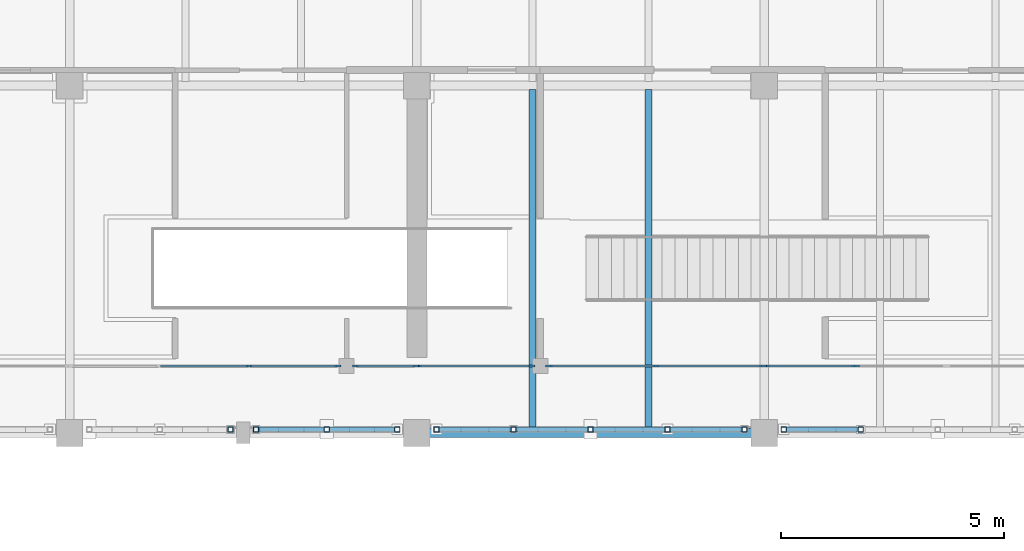
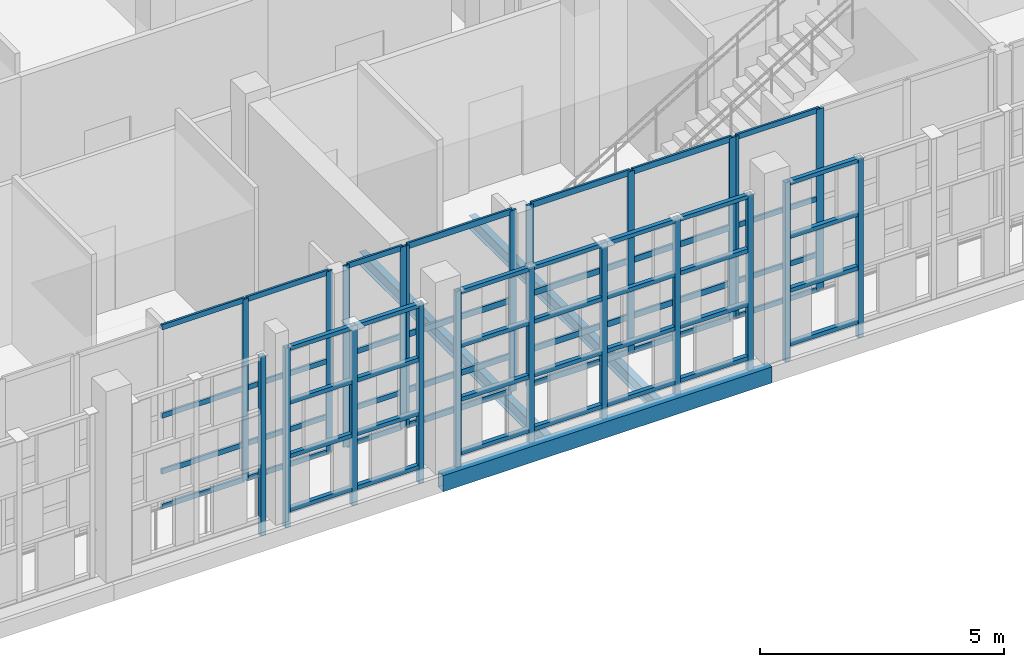
# One storey, part 58 of 138: 78 members, 3 beams, 5 elements without a shape of their own.
"""IFC4 building model written with IfcOpenShell, lengths in metres."""

from ifc_helpers import new_model, si_unit, direction, frame, origin, origin_2d, place, context, subcontext, project, spatial, rectangle, hollow_rectangle, i_section, extrude, material, layer, layer_set, material_profile, profile_set, type_object, element, aggregate, save


model = new_model("IFC4")

# Units and contexts
model_context = context("Model", 3, precision=1e-05, world=origin(), true_north=direction((0.0, 1.0)))
body_context = subcontext(model_context, "Body", "Model", "MODEL_VIEW")
ifc_project = project(units=[si_unit("LENGTHUNIT", "METRE"), si_unit("AREAUNIT", "SQUARE_METRE"), si_unit("VOLUMEUNIT", "CUBIC_METRE"), si_unit("PLANEANGLEUNIT", "RADIAN"), si_unit("MASSUNIT", "GRAM", prefix="KILO")], contexts=[model_context])

# Site, building, storey
site_placement = place(None, origin())
site = spatial("IfcSite", under=ifc_project, at=site_placement, CompositionType="ELEMENT")
building_placement = place(site_placement, origin())
building = spatial("IfcBuilding", under=site, at=building_placement, Name="Celorna Specialist Clinic", CompositionType="ELEMENT")
storey_placement = place(building_placement, frame((0.0, 0.0, 4.800048828125)))
storey = spatial("IfcBuildingStorey", under=building, at=storey_placement, Name="L01", CompositionType="ELEMENT", Elevation=4.800048828125)

# Beams
ifc_material_1 = material(Name="Steel S355", Category="steel")
ifc_material_profile_1 = material_profile(ifc_material_1, i_section(OverallWidth=0.159912109375, OverallDepth=0.330078125, WebThickness=0.007568359375, FlangeThickness=0.011474609375, at=origin_2d()), Name="IPE 330")
ifc_profile_set_1 = profile_set([ifc_material_profile_1], Name="Steel S355")
beam_type_1 = type_object("IfcBeamType", Name="BM-12", PredefinedType="JOIST", material=ifc_profile_set_1)
for number, where, z_axis, x_axis, name in (
    (1, (104.0, 96.587890625, -0.425048828125), (0.0, 1.0, 0.0), (-1.0, 0.0, 0.0), "Secondary floor joist BM-12 #1019"),
    (2, (106.60009765625, 96.587890625, -0.425048828125), (0.0, 1.0, 0.0), (-1.0, 0.0, 0.0), "Secondary floor joist BM-12 #1020"),
):
    element("IfcBeam", number, at=place(storey_placement, frame(where, z_axis=z_axis, x_axis=x_axis)), inside=storey, type_object=beam_type_1, Name=name, PredefinedType="JOIST", context=body_context, shape_type="SweptSolid", body=[
        extrude(i_section(OverallWidth=0.159912109375, OverallDepth=0.330078125, WebThickness=0.007568359375, FlangeThickness=0.011474609375, at=origin_2d()), origin(), (0.0, 0.0, 1.0), 7.6240234375),
    ])
ifc_material_profile_2 = material_profile(ifc_material_1, hollow_rectangle(XDim=0.199951171875, YDim=0.39990234375, WallThickness=0.011962890625, at=origin_2d()), Name="RHS 200x400x12")
ifc_profile_set_2 = profile_set([ifc_material_profile_2], Name="Steel S355")
beam_type_2 = type_object("IfcBeamType", Name="BM-15", PredefinedType="SPANDREL", material=ifc_profile_set_2)
beam_placement = place(storey_placement, frame((101.39990234375, 96.5, -0.4599609375), z_axis=(1.0, 0.0, 0.0), x_axis=(0.0, 1.0, 0.0)))
element("IfcBeam", 3, at=beam_placement, inside=storey, type_object=beam_type_2, Name="Spandrel beam BM-15 #876", PredefinedType="SPANDREL", context=body_context, shape_type="SweptSolid", body=[
    extrude(hollow_rectangle(XDim=0.199951171875, YDim=0.39990234375, WallThickness=0.011962890625, at=origin_2d()), origin(), (0.0, 0.0, 1.0), 7.800048828125),
])

# Members
ifc_material_profile_3 = material_profile(ifc_material_1, hollow_rectangle(XDim=0.1201171875, YDim=0.1201171875, WallThickness=0.008056640625, at=origin_2d()), Name="SHS 120x120x8")
ifc_profile_set_3 = profile_set([ifc_material_profile_3], Name="Steel S355")
member_type_1 = type_object("IfcMemberType", Name="MB-11", PredefinedType="STUD", material=ifc_profile_set_3)
for number, where, z_axis, x_axis, name in (
    (4, (97.2099609375, 96.580078125, -0.360107421875), (0.0, 0.0, 1.0), (1.0, 0.0, 0.0), "Perforated screen steel post #816"),
    (5, (97.7900390625, 96.580078125, -0.360107421875), (0.0, 0.0, 1.0), (1.0, 0.0, 0.0), "Perforated screen steel post #825"),
    (6, (99.375, 96.580078125, -0.360107421875), (0.0, 0.0, 1.0), (1.0, 0.0, 0.0), "Perforated screen steel post #826"),
    (7, (100.9599609375, 96.580078125, -0.360107421875), (0.0, 0.0, 1.0), (1.0, 0.0, 0.0), "Perforated screen steel post #827"),
    (8, (101.840087890625, 96.580078125, -0.360107421875), (0.0, 0.0, 1.0), (1.0, 0.0, 0.0), "Perforated screen steel post #836"),
    (9, (103.570068359375, 96.580078125, -0.360107421875), (0.0, 0.0, 1.0), (1.0, 0.0, 0.0), "Perforated screen steel post #837"),
    (10, (105.300048828125, 96.580078125, -0.360107421875), (0.0, 0.0, 1.0), (1.0, 0.0, 0.0), "Perforated screen steel post #838"),
    (11, (107.030029296875, 96.580078125, -0.360107421875), (0.0, 0.0, 1.0), (1.0, 0.0, 0.0), "Perforated screen steel post #839"),
    (12, (108.760009765625, 96.580078125, -0.360107421875), (0.0, 0.0, 1.0), (1.0, 0.0, 0.0), "Perforated screen steel post #840"),
    (13, (109.639892578125, 96.580078125, -0.360107421875), (0.0, 0.0, 1.0), (1.0, 0.0, 0.0), "Perforated screen steel post #857"),
    (14, (111.3701171875, 96.580078125, -0.360107421875), (0.0, 0.0, 1.0), (1.0, 0.0, 0.0), "Perforated screen steel post #858"),
):
    element("IfcMember", number, at=place(storey_placement, frame(where, z_axis=z_axis, x_axis=x_axis)), inside=storey, type_object=member_type_1, Name=name, PredefinedType="STUD", context=body_context, shape_type="SweptSolid", body=[
        extrude(hollow_rectangle(XDim=0.1201171875, YDim=0.1201171875, WallThickness=0.008056640625, at=origin_2d()), origin(), (0.0, 0.0, 1.0), 4.5),
    ])
ifc_material_profile_4 = material_profile(ifc_material_1, hollow_rectangle(XDim=0.10009765625, YDim=0.10009765625, WallThickness=0.006103515625, at=origin_2d()), Name="SHS 100x100x6")
ifc_profile_set_4 = profile_set([ifc_material_profile_4], Name="Steel S355")
member_type_2 = type_object("IfcMemberType", Name="MB-12", PredefinedType="STUD", material=ifc_profile_set_4)
for number, where, z_axis, x_axis, name in (
    (15, (97.85009765625, 96.580078125, 0.050048828125), (1.0, 0.0, 0.0), (0.0, 1.0, 0.0), "Perforated screen rail #828"),
    (16, (97.85009765625, 96.580078125, 1.396728515625), (1.0, 0.0, 0.0), (0.0, 1.0, 0.0), "Perforated screen rail #829"),
    (17, (97.85009765625, 96.580078125, 2.7431640625), (1.0, 0.0, 0.0), (0.0, 1.0, 0.0), "Perforated screen rail #830"),
    (18, (97.85009765625, 96.580078125, 4.08984375), (1.0, 0.0, 0.0), (0.0, 1.0, 0.0), "Perforated screen rail #831"),
    (19, (99.43505859375, 96.580078125, 0.050048828125), (1.0, 0.0, 0.0), (0.0, 1.0, 0.0), "Perforated screen rail #832"),
    (20, (99.43505859375, 96.580078125, 1.396728515625), (1.0, 0.0, 0.0), (0.0, 1.0, 0.0), "Perforated screen rail #833"),
    (21, (99.43505859375, 96.580078125, 2.7431640625), (1.0, 0.0, 0.0), (0.0, 1.0, 0.0), "Perforated screen rail #834"),
    (22, (99.43505859375, 96.580078125, 4.08984375), (1.0, 0.0, 0.0), (0.0, 1.0, 0.0), "Perforated screen rail #835"),
):
    element("IfcMember", number, at=place(storey_placement, frame(where, z_axis=z_axis, x_axis=x_axis)), inside=storey, type_object=member_type_2, Name=name, PredefinedType="STUD", context=body_context, shape_type="SweptSolid", body=[
        extrude(hollow_rectangle(XDim=0.10009765625, YDim=0.10009765625, WallThickness=0.006103515625, at=origin_2d()), origin(), (0.0, 0.0, 1.0), 1.46484375),
    ])
for number, where, z_axis, x_axis, name in (
    (23, (101.89990234375, 96.580078125, 0.050048828125), (1.0, 0.0, 0.0), (0.0, 1.0, 0.0), "Perforated screen rail #841"),
    (24, (101.89990234375, 96.580078125, 1.396728515625), (1.0, 0.0, 0.0), (0.0, 1.0, 0.0), "Perforated screen rail #842"),
    (25, (101.89990234375, 96.580078125, 2.7431640625), (1.0, 0.0, 0.0), (0.0, 1.0, 0.0), "Perforated screen rail #843"),
    (26, (101.89990234375, 96.580078125, 4.08984375), (1.0, 0.0, 0.0), (0.0, 1.0, 0.0), "Perforated screen rail #844"),
    (27, (103.6298828125, 96.580078125, 0.050048828125), (1.0, 0.0, 0.0), (0.0, 1.0, 0.0), "Perforated screen rail #845"),
    (28, (103.6298828125, 96.580078125, 1.396728515625), (1.0, 0.0, 0.0), (0.0, 1.0, 0.0), "Perforated screen rail #846"),
    (29, (103.6298828125, 96.580078125, 2.7431640625), (1.0, 0.0, 0.0), (0.0, 1.0, 0.0), "Perforated screen rail #847"),
    (30, (103.6298828125, 96.580078125, 4.08984375), (1.0, 0.0, 0.0), (0.0, 1.0, 0.0), "Perforated screen rail #848"),
):
    element("IfcMember", number, at=place(storey_placement, frame(where, z_axis=z_axis, x_axis=x_axis)), inside=storey, type_object=member_type_2, Name=name, PredefinedType="STUD", context=body_context, shape_type="SweptSolid", body=[
        extrude(hollow_rectangle(XDim=0.10009765625, YDim=0.10009765625, WallThickness=0.006103515625, at=origin_2d()), origin(), (0.0, 0.0, 1.0), 1.610107421875),
    ])
for number, where, z_axis, x_axis, name in (
    (31, (105.360107421875, 96.580078125, 0.050048828125), (1.0, 0.0, 0.0), (0.0, 1.0, 0.0), "Perforated screen rail #849"),
    (32, (105.360107421875, 96.580078125, 1.396728515625), (1.0, 0.0, 0.0), (0.0, 1.0, 0.0), "Perforated screen rail #850"),
    (33, (105.360107421875, 96.580078125, 2.7431640625), (1.0, 0.0, 0.0), (0.0, 1.0, 0.0), "Perforated screen rail #851"),
    (34, (105.360107421875, 96.580078125, 4.08984375), (1.0, 0.0, 0.0), (0.0, 1.0, 0.0), "Perforated screen rail #852"),
    (35, (107.090087890625, 96.580078125, 0.050048828125), (1.0, 0.0, 0.0), (0.0, 1.0, 0.0), "Perforated screen rail #853"),
    (36, (107.090087890625, 96.580078125, 1.396728515625), (1.0, 0.0, 0.0), (0.0, 1.0, 0.0), "Perforated screen rail #854"),
    (37, (107.090087890625, 96.580078125, 2.7431640625), (1.0, 0.0, 0.0), (0.0, 1.0, 0.0), "Perforated screen rail #855"),
    (38, (107.090087890625, 96.580078125, 4.08984375), (1.0, 0.0, 0.0), (0.0, 1.0, 0.0), "Perforated screen rail #856"),
):
    element("IfcMember", number, at=place(storey_placement, frame(where, z_axis=z_axis, x_axis=x_axis)), inside=storey, type_object=member_type_2, Name=name, PredefinedType="STUD", context=body_context, shape_type="SweptSolid", body=[
        extrude(hollow_rectangle(XDim=0.10009765625, YDim=0.10009765625, WallThickness=0.006103515625, at=origin_2d()), origin(), (0.0, 0.0, 1.0), 1.60986328125),
    ])
for number, where, z_axis, x_axis, name in (
    (39, (109.699951171875, 96.580078125, 0.050048828125), (1.0, 0.0, 0.0), (0.0, 1.0, 0.0), "Perforated screen rail #862"),
    (40, (109.699951171875, 96.580078125, 1.396728515625), (1.0, 0.0, 0.0), (0.0, 1.0, 0.0), "Perforated screen rail #863"),
    (41, (109.699951171875, 96.580078125, 2.7431640625), (1.0, 0.0, 0.0), (0.0, 1.0, 0.0), "Perforated screen rail #864"),
    (42, (109.699951171875, 96.580078125, 4.08984375), (1.0, 0.0, 0.0), (0.0, 1.0, 0.0), "Perforated screen rail #865"),
):
    element("IfcMember", number, at=place(storey_placement, frame(where, z_axis=z_axis, x_axis=x_axis)), inside=storey, type_object=member_type_2, Name=name, PredefinedType="STUD", context=body_context, shape_type="SweptSolid", body=[
        extrude(hollow_rectangle(XDim=0.10009765625, YDim=0.10009765625, WallThickness=0.006103515625, at=origin_2d()), origin(), (0.0, 0.0, 1.0), 1.610107421875),
    ])

# Curtain wall, members
ifc_material_2 = material(Name="Thermally broken aluminium and solar-control glass curtain wall", Category="aluminium")
ifc_layer_1 = layer(ifc_material_2, 0.159912109375, Name="Thermally broken aluminium and solar-control glass curtain wall")
ifc_layer_set_1 = layer_set([ifc_layer_1], Name="Thermally broken aluminium and solar-control glass curtain wall")
curtain_wall_type_1 = type_object("IfcCurtainWallType", Name="CW-55", PredefinedType="NOTDEFINED", material=ifc_layer_set_1)
curtain_wall_1_placement = place(storey_placement, origin())
curtain_wall_1 = element("IfcCurtainWall", 43, at=curtain_wall_1_placement, inside=storey, type_object=curtain_wall_type_1, Name="Curtain wall CW-55 #109", PredefinedType="NOTDEFINED")
ifc_material_3 = material(Name="Anodized aluminium mullion", Category="aluminium")
ifc_material_profile_5 = material_profile(ifc_material_3, rectangle(XDim=0.050048828125, YDim=0.159912109375, at=origin_2d()), Name="ALU MULLION 50x160")
ifc_profile_set_5 = profile_set([ifc_material_profile_5], Name="Anodized aluminium mullion")
member_type_3 = type_object("IfcMemberType", Name="ML-01", PredefinedType="MULLION", material=ifc_profile_set_5)
member_1_placement = place(storey_placement, frame((109.1708984375, 98.0, 0.0), z_axis=(0.0, 0.0, 1.0), x_axis=(0.0, -1.0, 0.0)))
member_1 = element("IfcMember", 44, at=member_1_placement, type_object=member_type_3, Name="CW-55 mullion 1", PredefinedType="MULLION", context=body_context, shape_type="SweptSolid", body=[
    extrude(rectangle(XDim=0.050048828125, YDim=0.159912109375, at=origin_2d()), origin(), (0.0, 0.0, 1.0), 4.5400390625),
])
member_2_placement = place(storey_placement, frame((106.77001953125, 98.0, 0.0), z_axis=(0.0, 0.0, 1.0), x_axis=(0.0, -1.0, 0.0)))
member_2 = element("IfcMember", 45, at=member_2_placement, type_object=member_type_3, Name="CW-55 mullion 2", PredefinedType="MULLION", context=body_context, shape_type="SweptSolid", body=[
    extrude(rectangle(XDim=0.050048828125, YDim=0.159912109375, at=origin_2d()), origin(), (0.0, 0.0, 1.0), 4.5400390625),
])
member_3_placement = place(storey_placement, frame((104.368896484375, 98.0, 0.0), z_axis=(0.0, 0.0, 1.0), x_axis=(0.0, -1.0, 0.0)))
member_3 = element("IfcMember", 46, at=member_3_placement, type_object=member_type_3, Name="CW-55 mullion 3", PredefinedType="MULLION", context=body_context, shape_type="SweptSolid", body=[
    extrude(rectangle(XDim=0.050048828125, YDim=0.159912109375, at=origin_2d()), origin(), (0.0, 0.0, 1.0), 4.5400390625),
])

ifc_layer_2 = layer(ifc_material_2, 0.159912109375, Name="Thermally broken aluminium and solar-control glass curtain wall")
ifc_layer_set_2 = layer_set([ifc_layer_2], Name="Thermally broken aluminium and solar-control glass curtain wall")
curtain_wall_type_2 = type_object("IfcCurtainWallType", Name="CW-56", PredefinedType="NOTDEFINED", material=ifc_layer_set_2)
curtain_wall_2_placement = place(storey_placement, origin())
curtain_wall_2 = element("IfcCurtainWall", 47, at=curtain_wall_2_placement, inside=storey, type_object=curtain_wall_type_2, Name="Curtain wall CW-56 #110", PredefinedType="NOTDEFINED")
member_4_placement = place(storey_placement, frame((103.970947265625, 98.0, 0.0), z_axis=(0.0, 0.0, 1.0), x_axis=(0.0, -1.0, 0.0)))
member_4 = element("IfcMember", 48, at=member_4_placement, type_object=member_type_3, Name="CW-56 mullion 1", PredefinedType="MULLION", context=body_context, shape_type="SweptSolid", body=[
    extrude(rectangle(XDim=0.050048828125, YDim=0.159912109375, at=origin_2d()), origin(), (0.0, 0.0, 1.0), 4.5400390625),
])
member_5_placement = place(storey_placement, frame((101.428955078125, 98.0, 0.0), z_axis=(0.0, 0.0, 1.0), x_axis=(0.0, -1.0, 0.0)))
member_5 = element("IfcMember", 49, at=member_5_placement, type_object=member_type_3, Name="CW-56 mullion 2", PredefinedType="MULLION", context=body_context, shape_type="SweptSolid", body=[
    extrude(rectangle(XDim=0.050048828125, YDim=0.159912109375, at=origin_2d()), origin(), (0.0, 0.0, 1.0), 4.5400390625),
])

ifc_layer_3 = layer(ifc_material_2, 0.159912109375, Name="Thermally broken aluminium and solar-control glass curtain wall")
ifc_layer_set_3 = layer_set([ifc_layer_3], Name="Thermally broken aluminium and solar-control glass curtain wall")
curtain_wall_type_3 = type_object("IfcCurtainWallType", Name="CW-58", PredefinedType="NOTDEFINED", material=ifc_layer_set_3)
curtain_wall_3_placement = place(storey_placement, origin())
curtain_wall_3 = element("IfcCurtainWall", 50, at=curtain_wall_3_placement, inside=storey, type_object=curtain_wall_type_3, Name="Curtain wall CW-58 #112", PredefinedType="NOTDEFINED")
ifc_material_profile_6 = material_profile(ifc_material_3, rectangle(XDim=0.050048828125, YDim=0.179931640625, at=origin_2d()), Name="ALU MULLION 50x180")
ifc_profile_set_6 = profile_set([ifc_material_profile_6], Name="Anodized aluminium mullion")
member_type_4 = type_object("IfcMemberType", Name="ML-02", PredefinedType="MULLION", material=ifc_profile_set_6)
member_6_placement = place(storey_placement, frame((111.251220703125, 98.0, 0.0), z_axis=(0.0, 0.0, 1.0), x_axis=(0.0, -1.0, 0.0)))
member_6 = element("IfcMember", 51, at=member_6_placement, type_object=member_type_4, Name="CW-58 mullion 3", PredefinedType="MULLION", context=body_context, shape_type="SweptSolid", body=[
    extrude(rectangle(XDim=0.050048828125, YDim=0.179931640625, at=origin_2d()), origin(), (0.0, 0.0, 1.0), 4.5400390625),
])
member_7_placement = place(storey_placement, frame((109.22900390625, 98.0, 0.0), z_axis=(0.0, 0.0, 1.0), x_axis=(0.0, -1.0, 0.0)))
member_7 = element("IfcMember", 52, at=member_7_placement, type_object=member_type_4, Name="CW-58 mullion 4", PredefinedType="MULLION", context=body_context, shape_type="SweptSolid", body=[
    extrude(rectangle(XDim=0.050048828125, YDim=0.179931640625, at=origin_2d()), origin(), (0.0, 0.0, 1.0), 4.5400390625),
])

ifc_layer_4 = layer(ifc_material_2, 0.159912109375, Name="Thermally broken aluminium and solar-control glass curtain wall")
ifc_layer_set_4 = layer_set([ifc_layer_4], Name="Thermally broken aluminium and solar-control glass curtain wall")
curtain_wall_type_4 = type_object("IfcCurtainWallType", Name="CW-53", PredefinedType="NOTDEFINED", material=ifc_layer_set_4)
curtain_wall_4_placement = place(storey_placement, origin())
curtain_wall_4 = element("IfcCurtainWall", 53, at=curtain_wall_4_placement, inside=storey, type_object=curtain_wall_type_4, Name="Curtain wall CW-53 #107", PredefinedType="NOTDEFINED")
ifc_material_profile_7 = material_profile(ifc_material_3, rectangle(XDim=0.050048828125, YDim=0.139892578125, at=origin_2d()), Name="ALU MULLION 50x140")
ifc_profile_set_7 = profile_set([ifc_material_profile_7], Name="Anodized aluminium mullion")
member_type_5 = type_object("IfcMemberType", Name="ML-03", PredefinedType="MULLION", material=ifc_profile_set_7)
member_8_placement = place(storey_placement, frame((101.37109375, 98.0, 0.0), z_axis=(0.0, 0.0, 1.0), x_axis=(0.0, -1.0, 0.0)))
member_8 = element("IfcMember", 54, at=member_8_placement, type_object=member_type_5, Name="CW-53 mullion 1", PredefinedType="MULLION", context=body_context, shape_type="SweptSolid", body=[
    extrude(rectangle(XDim=0.050048828125, YDim=0.139892578125, at=origin_2d()), origin(), (0.0, 0.0, 1.0), 4.5400390625),
])
member_9_placement = place(storey_placement, frame((100.01904296875, 98.0, 0.0), z_axis=(0.0, 0.0, 1.0), x_axis=(0.0, -1.0, 0.0)))
member_9 = element("IfcMember", 55, at=member_9_placement, type_object=member_type_5, Name="CW-53 mullion 2", PredefinedType="MULLION", context=body_context, shape_type="SweptSolid", body=[
    extrude(rectangle(XDim=0.050048828125, YDim=0.139892578125, at=origin_2d()), origin(), (0.0, 0.0, 1.0), 4.5400390625),
])

ifc_layer_5 = layer(ifc_material_2, 0.159912109375, Name="Thermally broken aluminium and solar-control glass curtain wall")
ifc_layer_set_5 = layer_set([ifc_layer_5], Name="Thermally broken aluminium and solar-control glass curtain wall")
curtain_wall_type_5 = type_object("IfcCurtainWallType", Name="CW-54", PredefinedType="NOTDEFINED", material=ifc_layer_set_5)
curtain_wall_5_placement = place(storey_placement, origin())
curtain_wall_5 = element("IfcCurtainWall", 56, at=curtain_wall_5_placement, inside=storey, type_object=curtain_wall_type_5, Name="Curtain wall CW-54 #108", PredefinedType="NOTDEFINED")
member_10_placement = place(storey_placement, frame((99.62109375, 98.0, 0.0), z_axis=(0.0, 0.0, 1.0), x_axis=(0.0, -1.0, 0.0)))
member_10 = element("IfcMember", 57, at=member_10_placement, type_object=member_type_5, Name="CW-54 mullion 1", PredefinedType="MULLION", context=body_context, shape_type="SweptSolid", body=[
    extrude(rectangle(XDim=0.050048828125, YDim=0.139892578125, at=origin_2d()), origin(), (0.0, 0.0, 1.0), 4.5400390625),
])
member_11_placement = place(storey_placement, frame((97.632080078125, 98.0, 0.0), z_axis=(0.0, 0.0, 1.0), x_axis=(0.0, -1.0, 0.0)))
member_11 = element("IfcMember", 58, at=member_11_placement, type_object=member_type_5, Name="CW-54 mullion 2", PredefinedType="MULLION", context=body_context, shape_type="SweptSolid", body=[
    extrude(rectangle(XDim=0.050048828125, YDim=0.139892578125, at=origin_2d()), origin(), (0.0, 0.0, 1.0), 4.5400390625),
])

# Member
ifc_material_4 = material(Name="Anodized aluminium transom", Category="aluminium")
ifc_material_profile_8 = material_profile(ifc_material_4, rectangle(XDim=0.050048828125, YDim=0.1298828125, at=origin_2d()), Name="ALU TRANSOM 50x130")
ifc_profile_set_8 = profile_set([ifc_material_profile_8], Name="Anodized aluminium transom")
member_type_6 = type_object("IfcMemberType", Name="TR-01", PredefinedType="USERDEFINED", material=ifc_profile_set_8)
member_12_placement = place(storey_placement, frame((101.345947265625, 98.0, 0.02490234375), z_axis=(-1.0, 0.0, 0.0), x_axis=(0.0, -1.0, 0.0)))
member_12 = element("IfcMember", 59, at=member_12_placement, type_object=member_type_6, Name="CW-53 transom 1.1", ObjectType="TRANSOM", PredefinedType="USERDEFINED", context=body_context, shape_type="SweptSolid", body=[
    extrude(rectangle(XDim=0.050048828125, YDim=0.1298828125, at=origin_2d()), origin(), (0.0, 0.0, 1.0), 1.302001953125),
])

member_13_placement = place(storey_placement, frame((101.345947265625, 98.0, 0.89990234375), z_axis=(-1.0, 0.0, 0.0), x_axis=(0.0, -1.0, 0.0)))
member_13 = element("IfcMember", 60, at=member_13_placement, type_object=member_type_6, Name="CW-53 transom 1.2", ObjectType="TRANSOM", PredefinedType="USERDEFINED", context=body_context, shape_type="SweptSolid", body=[
    extrude(rectangle(XDim=0.050048828125, YDim=0.1298828125, at=origin_2d()), origin(), (0.0, 0.0, 1.0), 1.302001953125),
])

member_14_placement = place(storey_placement, frame((101.345947265625, 98.0, 2.300048828125), z_axis=(-1.0, 0.0, 0.0), x_axis=(0.0, -1.0, 0.0)))
member_14 = element("IfcMember", 61, at=member_14_placement, type_object=member_type_6, Name="CW-53 transom 1.3", ObjectType="TRANSOM", PredefinedType="USERDEFINED", context=body_context, shape_type="SweptSolid", body=[
    extrude(rectangle(XDim=0.050048828125, YDim=0.1298828125, at=origin_2d()), origin(), (0.0, 0.0, 1.0), 1.302001953125),
])

member_15_placement = place(storey_placement, frame((101.345947265625, 98.0, 4.514892578125), z_axis=(-1.0, 0.0, 0.0), x_axis=(0.0, -1.0, 0.0)))
member_15 = element("IfcMember", 62, at=member_15_placement, type_object=member_type_6, Name="CW-53 transom 1.4", ObjectType="TRANSOM", PredefinedType="USERDEFINED", context=body_context, shape_type="SweptSolid", body=[
    extrude(rectangle(XDim=0.050048828125, YDim=0.1298828125, at=origin_2d()), origin(), (0.0, 0.0, 1.0), 1.302001953125),
])

aggregate(curtain_wall_4, [member_8, member_9, member_12, member_13, member_14, member_15])

member_16_placement = place(storey_placement, frame((99.595947265625, 98.0, 0.02490234375), z_axis=(-1.0, 0.0, 0.0), x_axis=(0.0, -1.0, 0.0)))
member_16 = element("IfcMember", 63, at=member_16_placement, type_object=member_type_6, Name="CW-54 transom 1.1", ObjectType="TRANSOM", PredefinedType="USERDEFINED", context=body_context, shape_type="SweptSolid", body=[
    extrude(rectangle(XDim=0.050048828125, YDim=0.1298828125, at=origin_2d()), origin(), (0.0, 0.0, 1.0), 1.93896484375),
])

member_17_placement = place(storey_placement, frame((99.595947265625, 98.0, 0.89990234375), z_axis=(-1.0, 0.0, 0.0), x_axis=(0.0, -1.0, 0.0)))
member_17 = element("IfcMember", 64, at=member_17_placement, type_object=member_type_6, Name="CW-54 transom 1.2", ObjectType="TRANSOM", PredefinedType="USERDEFINED", context=body_context, shape_type="SweptSolid", body=[
    extrude(rectangle(XDim=0.050048828125, YDim=0.1298828125, at=origin_2d()), origin(), (0.0, 0.0, 1.0), 1.93896484375),
])

member_18_placement = place(storey_placement, frame((99.595947265625, 98.0, 2.300048828125), z_axis=(-1.0, 0.0, 0.0), x_axis=(0.0, -1.0, 0.0)))
member_18 = element("IfcMember", 65, at=member_18_placement, type_object=member_type_6, Name="CW-54 transom 1.3", ObjectType="TRANSOM", PredefinedType="USERDEFINED", context=body_context, shape_type="SweptSolid", body=[
    extrude(rectangle(XDim=0.050048828125, YDim=0.1298828125, at=origin_2d()), origin(), (0.0, 0.0, 1.0), 1.93896484375),
])

member_19_placement = place(storey_placement, frame((99.595947265625, 98.0, 4.514892578125), z_axis=(-1.0, 0.0, 0.0), x_axis=(0.0, -1.0, 0.0)))
member_19 = element("IfcMember", 66, at=member_19_placement, type_object=member_type_6, Name="CW-54 transom 1.4", ObjectType="TRANSOM", PredefinedType="USERDEFINED", context=body_context, shape_type="SweptSolid", body=[
    extrude(rectangle(XDim=0.050048828125, YDim=0.1298828125, at=origin_2d()), origin(), (0.0, 0.0, 1.0), 1.93896484375),
])

member_20_placement = place(storey_placement, frame((97.60693359375, 98.0, 0.02490234375), z_axis=(-1.0, 0.0, 0.0), x_axis=(0.0, -1.0, 0.0)))
member_20 = element("IfcMember", 67, at=member_20_placement, type_object=member_type_6, Name="CW-54 transom 2.1", ObjectType="TRANSOM", PredefinedType="USERDEFINED", context=body_context, shape_type="SweptSolid", body=[
    extrude(rectangle(XDim=0.050048828125, YDim=0.1298828125, at=origin_2d()), origin(), (0.0, 0.0, 1.0), 1.9638671875),
])

member_21_placement = place(storey_placement, frame((97.60693359375, 98.0, 0.89990234375), z_axis=(-1.0, 0.0, 0.0), x_axis=(0.0, -1.0, 0.0)))
member_21 = element("IfcMember", 68, at=member_21_placement, type_object=member_type_6, Name="CW-54 transom 2.2", ObjectType="TRANSOM", PredefinedType="USERDEFINED", context=body_context, shape_type="SweptSolid", body=[
    extrude(rectangle(XDim=0.050048828125, YDim=0.1298828125, at=origin_2d()), origin(), (0.0, 0.0, 1.0), 1.9638671875),
])

member_22_placement = place(storey_placement, frame((97.60693359375, 98.0, 2.300048828125), z_axis=(-1.0, 0.0, 0.0), x_axis=(0.0, -1.0, 0.0)))
member_22 = element("IfcMember", 69, at=member_22_placement, type_object=member_type_6, Name="CW-54 transom 2.3", ObjectType="TRANSOM", PredefinedType="USERDEFINED", context=body_context, shape_type="SweptSolid", body=[
    extrude(rectangle(XDim=0.050048828125, YDim=0.1298828125, at=origin_2d()), origin(), (0.0, 0.0, 1.0), 1.9638671875),
])

member_23_placement = place(storey_placement, frame((97.60693359375, 98.0, 4.514892578125), z_axis=(-1.0, 0.0, 0.0), x_axis=(0.0, -1.0, 0.0)))
member_23 = element("IfcMember", 70, at=member_23_placement, type_object=member_type_6, Name="CW-54 transom 2.4", ObjectType="TRANSOM", PredefinedType="USERDEFINED", context=body_context, shape_type="SweptSolid", body=[
    extrude(rectangle(XDim=0.050048828125, YDim=0.1298828125, at=origin_2d()), origin(), (0.0, 0.0, 1.0), 1.9638671875),
])

aggregate(curtain_wall_5, [member_10, member_11, member_16, member_17, member_18, member_19, member_20, member_21, member_22, member_23])

member_24_placement = place(storey_placement, frame((111.226318359375, 98.0, 0.02490234375), z_axis=(-1.0, 0.0, 0.0), x_axis=(0.0, -1.0, 0.0)))
member_24 = element("IfcMember", 71, at=member_24_placement, type_object=member_type_6, Name="CW-58 transom 3.1", ObjectType="TRANSOM", PredefinedType="USERDEFINED", context=body_context, shape_type="SweptSolid", body=[
    extrude(rectangle(XDim=0.050048828125, YDim=0.1298828125, at=origin_2d()), origin(), (0.0, 0.0, 1.0), 1.972412109375),
])

member_25_placement = place(storey_placement, frame((111.226318359375, 98.0, 0.89990234375), z_axis=(-1.0, 0.0, 0.0), x_axis=(0.0, -1.0, 0.0)))
member_25 = element("IfcMember", 72, at=member_25_placement, type_object=member_type_6, Name="CW-58 transom 3.2", ObjectType="TRANSOM", PredefinedType="USERDEFINED", context=body_context, shape_type="SweptSolid", body=[
    extrude(rectangle(XDim=0.050048828125, YDim=0.1298828125, at=origin_2d()), origin(), (0.0, 0.0, 1.0), 1.972412109375),
])

member_26_placement = place(storey_placement, frame((111.226318359375, 98.0, 2.300048828125), z_axis=(-1.0, 0.0, 0.0), x_axis=(0.0, -1.0, 0.0)))
member_26 = element("IfcMember", 73, at=member_26_placement, type_object=member_type_6, Name="CW-58 transom 3.3", ObjectType="TRANSOM", PredefinedType="USERDEFINED", context=body_context, shape_type="SweptSolid", body=[
    extrude(rectangle(XDim=0.050048828125, YDim=0.1298828125, at=origin_2d()), origin(), (0.0, 0.0, 1.0), 1.972412109375),
])

member_27_placement = place(storey_placement, frame((111.226318359375, 98.0, 4.514892578125), z_axis=(-1.0, 0.0, 0.0), x_axis=(0.0, -1.0, 0.0)))
member_27 = element("IfcMember", 74, at=member_27_placement, type_object=member_type_6, Name="CW-58 transom 3.4", ObjectType="TRANSOM", PredefinedType="USERDEFINED", context=body_context, shape_type="SweptSolid", body=[
    extrude(rectangle(XDim=0.050048828125, YDim=0.1298828125, at=origin_2d()), origin(), (0.0, 0.0, 1.0), 1.972412109375),
])

aggregate(curtain_wall_3, [member_6, member_7, member_24, member_25, member_26, member_27])

ifc_material_profile_9 = material_profile(ifc_material_4, rectangle(XDim=0.050048828125, YDim=0.14990234375, at=origin_2d()), Name="ALU TRANSOM 50x150")
ifc_profile_set_9 = profile_set([ifc_material_profile_9], Name="Anodized aluminium transom")
member_type_7 = type_object("IfcMemberType", Name="TR-02", PredefinedType="USERDEFINED", material=ifc_profile_set_9)
member_28_placement = place(storey_placement, frame((109.14599609375, 98.0, 0.02490234375), z_axis=(-1.0, 0.0, 0.0), x_axis=(0.0, -1.0, 0.0)))
member_28 = element("IfcMember", 75, at=member_28_placement, type_object=member_type_7, Name="CW-55 transom 1.1", ObjectType="TRANSOM", PredefinedType="USERDEFINED", context=body_context, shape_type="SweptSolid", body=[
    extrude(rectangle(XDim=0.050048828125, YDim=0.14990234375, at=origin_2d()), origin(), (0.0, 0.0, 1.0), 2.35107421875),
])

member_29_placement = place(storey_placement, frame((109.14599609375, 98.0, 0.89990234375), z_axis=(-1.0, 0.0, 0.0), x_axis=(0.0, -1.0, 0.0)))
member_29 = element("IfcMember", 76, at=member_29_placement, type_object=member_type_7, Name="CW-55 transom 1.2", ObjectType="TRANSOM", PredefinedType="USERDEFINED", context=body_context, shape_type="SweptSolid", body=[
    extrude(rectangle(XDim=0.050048828125, YDim=0.14990234375, at=origin_2d()), origin(), (0.0, 0.0, 1.0), 2.35107421875),
])

member_30_placement = place(storey_placement, frame((109.14599609375, 98.0, 2.300048828125), z_axis=(-1.0, 0.0, 0.0), x_axis=(0.0, -1.0, 0.0)))
member_30 = element("IfcMember", 77, at=member_30_placement, type_object=member_type_7, Name="CW-55 transom 1.3", ObjectType="TRANSOM", PredefinedType="USERDEFINED", context=body_context, shape_type="SweptSolid", body=[
    extrude(rectangle(XDim=0.050048828125, YDim=0.14990234375, at=origin_2d()), origin(), (0.0, 0.0, 1.0), 2.35107421875),
])

member_31_placement = place(storey_placement, frame((109.14599609375, 98.0, 4.514892578125), z_axis=(-1.0, 0.0, 0.0), x_axis=(0.0, -1.0, 0.0)))
member_31 = element("IfcMember", 78, at=member_31_placement, type_object=member_type_7, Name="CW-55 transom 1.4", ObjectType="TRANSOM", PredefinedType="USERDEFINED", context=body_context, shape_type="SweptSolid", body=[
    extrude(rectangle(XDim=0.050048828125, YDim=0.14990234375, at=origin_2d()), origin(), (0.0, 0.0, 1.0), 2.35107421875),
])

member_32_placement = place(storey_placement, frame((106.7451171875, 98.0, 0.02490234375), z_axis=(-1.0, 0.0, 0.0), x_axis=(0.0, -1.0, 0.0)))
member_32 = element("IfcMember", 79, at=member_32_placement, type_object=member_type_7, Name="CW-55 transom 2.1", ObjectType="TRANSOM", PredefinedType="USERDEFINED", context=body_context, shape_type="SweptSolid", body=[
    extrude(rectangle(XDim=0.050048828125, YDim=0.14990234375, at=origin_2d()), origin(), (0.0, 0.0, 1.0), 2.35107421875),
])

member_33_placement = place(storey_placement, frame((106.7451171875, 98.0, 0.89990234375), z_axis=(-1.0, 0.0, 0.0), x_axis=(0.0, -1.0, 0.0)))
member_33 = element("IfcMember", 80, at=member_33_placement, type_object=member_type_7, Name="CW-55 transom 2.2", ObjectType="TRANSOM", PredefinedType="USERDEFINED", context=body_context, shape_type="SweptSolid", body=[
    extrude(rectangle(XDim=0.050048828125, YDim=0.14990234375, at=origin_2d()), origin(), (0.0, 0.0, 1.0), 2.35107421875),
])

member_34_placement = place(storey_placement, frame((106.7451171875, 98.0, 2.300048828125), z_axis=(-1.0, 0.0, 0.0), x_axis=(0.0, -1.0, 0.0)))
member_34 = element("IfcMember", 81, at=member_34_placement, type_object=member_type_7, Name="CW-55 transom 2.3", ObjectType="TRANSOM", PredefinedType="USERDEFINED", context=body_context, shape_type="SweptSolid", body=[
    extrude(rectangle(XDim=0.050048828125, YDim=0.14990234375, at=origin_2d()), origin(), (0.0, 0.0, 1.0), 2.35107421875),
])

member_35_placement = place(storey_placement, frame((106.7451171875, 98.0, 4.514892578125), z_axis=(-1.0, 0.0, 0.0), x_axis=(0.0, -1.0, 0.0)))
member_35 = element("IfcMember", 82, at=member_35_placement, type_object=member_type_7, Name="CW-55 transom 2.4", ObjectType="TRANSOM", PredefinedType="USERDEFINED", context=body_context, shape_type="SweptSolid", body=[
    extrude(rectangle(XDim=0.050048828125, YDim=0.14990234375, at=origin_2d()), origin(), (0.0, 0.0, 1.0), 2.35107421875),
])

aggregate(curtain_wall_1, [member_1, member_2, member_3, member_28, member_29, member_30, member_31, member_32, member_33, member_34, member_35])

member_36_placement = place(storey_placement, frame((103.946044921875, 98.0, 0.02490234375), z_axis=(-1.0, 0.0, 0.0), x_axis=(0.0, -1.0, 0.0)))
member_36 = element("IfcMember", 83, at=member_36_placement, type_object=member_type_7, Name="CW-56 transom 1.1", ObjectType="TRANSOM", PredefinedType="USERDEFINED", context=body_context, shape_type="SweptSolid", body=[
    extrude(rectangle(XDim=0.050048828125, YDim=0.14990234375, at=origin_2d()), origin(), (0.0, 0.0, 1.0), 2.491943359375),
])

member_37_placement = place(storey_placement, frame((103.946044921875, 98.0, 0.89990234375), z_axis=(-1.0, 0.0, 0.0), x_axis=(0.0, -1.0, 0.0)))
member_37 = element("IfcMember", 84, at=member_37_placement, type_object=member_type_7, Name="CW-56 transom 1.2", ObjectType="TRANSOM", PredefinedType="USERDEFINED", context=body_context, shape_type="SweptSolid", body=[
    extrude(rectangle(XDim=0.050048828125, YDim=0.14990234375, at=origin_2d()), origin(), (0.0, 0.0, 1.0), 2.491943359375),
])

member_38_placement = place(storey_placement, frame((103.946044921875, 98.0, 2.300048828125), z_axis=(-1.0, 0.0, 0.0), x_axis=(0.0, -1.0, 0.0)))
member_38 = element("IfcMember", 85, at=member_38_placement, type_object=member_type_7, Name="CW-56 transom 1.3", ObjectType="TRANSOM", PredefinedType="USERDEFINED", context=body_context, shape_type="SweptSolid", body=[
    extrude(rectangle(XDim=0.050048828125, YDim=0.14990234375, at=origin_2d()), origin(), (0.0, 0.0, 1.0), 2.491943359375),
])

member_39_placement = place(storey_placement, frame((103.946044921875, 98.0, 4.514892578125), z_axis=(-1.0, 0.0, 0.0), x_axis=(0.0, -1.0, 0.0)))
member_39 = element("IfcMember", 86, at=member_39_placement, type_object=member_type_7, Name="CW-56 transom 1.4", ObjectType="TRANSOM", PredefinedType="USERDEFINED", context=body_context, shape_type="SweptSolid", body=[
    extrude(rectangle(XDim=0.050048828125, YDim=0.14990234375, at=origin_2d()), origin(), (0.0, 0.0, 1.0), 2.491943359375),
])

aggregate(curtain_wall_2, [member_4, member_5, member_36, member_37, member_38, member_39])

save(model, "model.ifc")
